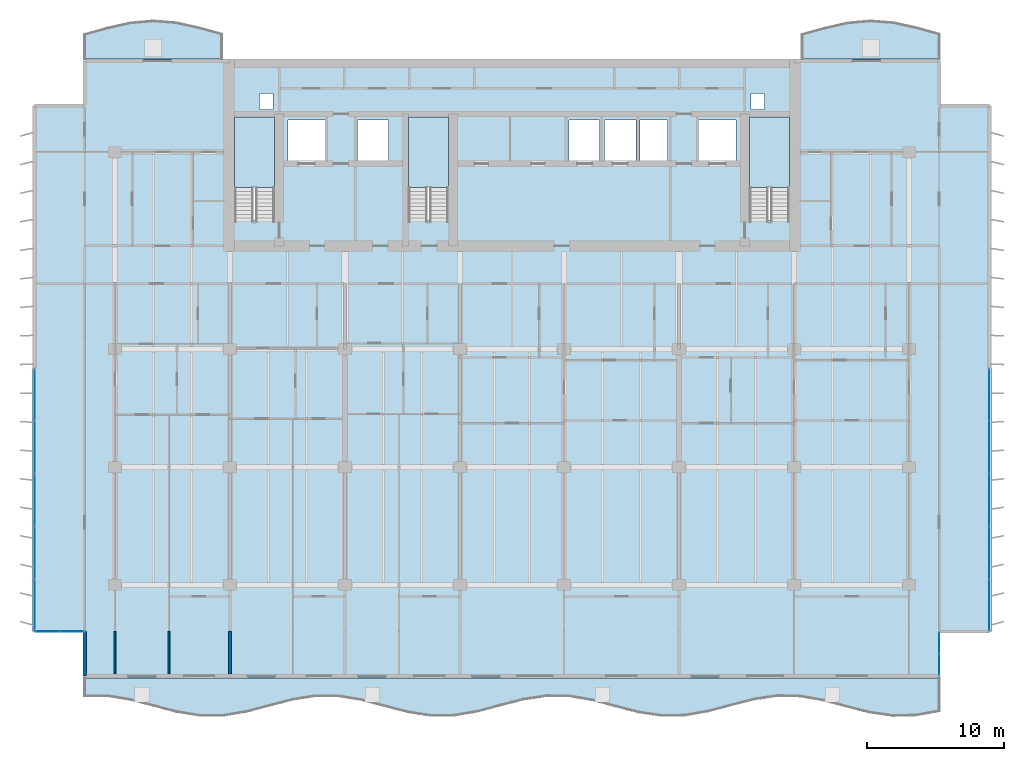
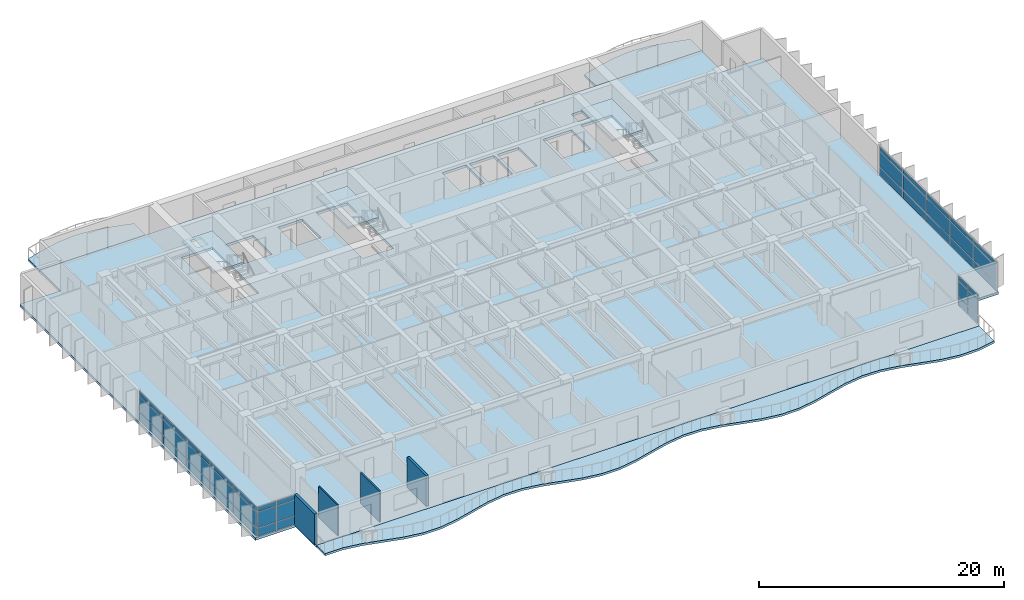
# One storey, part 5 of 16: 42 plates, 7 slabs, 4 walls, 7 elements without a shape of their own.
"""IFC4 building model written with IfcOpenShell, lengths in metres."""

from ifc_helpers import new_model, si_unit, direction, frame, frame_2d, origin, origin_2d, place, context, subcontext, project, spatial, polyline, rectangle, outline, extrude, material, layer, layer_set, type_object, element, aggregate, save


model = new_model("IFC4")

# Units and contexts
model_context = context("Model", 3, precision=1e-05, world=origin(), true_north=direction((0.0, 1.0)))
body_context = subcontext(model_context, "Body", "Model", "MODEL_VIEW")
ifc_project = project(units=[si_unit("LENGTHUNIT", "METRE"), si_unit("AREAUNIT", "SQUARE_METRE"), si_unit("VOLUMEUNIT", "CUBIC_METRE"), si_unit("PLANEANGLEUNIT", "RADIAN"), si_unit("MASSUNIT", "GRAM", prefix="KILO")], contexts=[model_context])

# Site, building, storey
site_placement = place(None, origin())
site = spatial("IfcSite", under=ifc_project, at=site_placement, CompositionType="ELEMENT")
building_placement = place(site_placement, origin())
building = spatial("IfcBuilding", under=site, at=building_placement, Name="Caelmar Bay Residences", CompositionType="ELEMENT")
storey_placement = place(building_placement, frame((0.0, 0.0, 145.5)))
storey = spatial("IfcBuildingStorey", under=building, at=storey_placement, Name="L40", CompositionType="ELEMENT", Elevation=145.5)

# Curtain wall, plates
ifc_material_1 = material(Name="Anodised bronze aluminium 6063-T6 and laminated glass", Category="aluminium")
ifc_layer_1 = layer(ifc_material_1, 0.179931640625)
ifc_layer_set_1 = layer_set([ifc_layer_1], Name="Anodised bronze aluminium 6063-T6 and laminated glass")
curtain_wall_type_1 = type_object("IfcCurtainWallType", Name="CW6-NTC", PredefinedType="NOTDEFINED", material=ifc_layer_set_1)
curtain_wall_1_placement = place(storey_placement, origin())
curtain_wall_1 = element("IfcCurtainWall", 1, at=curtain_wall_1_placement, inside=storey, type_object=curtain_wall_type_1, Name="CW6 curtain wall L40", PredefinedType="NOTDEFINED")
ifc_material_2 = material(Name="Bronze-tinted laminated low-E hurricane glass 28 mm", Category="glass")
ifc_layer_2 = layer(ifc_material_2, 0.028076171875)
ifc_layer_set_2 = layer_set([ifc_layer_2], Name="Bronze-tinted laminated low-E hurricane glass 28 mm")
plate_type = type_object("IfcPlateType", Name="CWP-GLZ28", PredefinedType="CURTAIN_PANEL", material=ifc_layer_set_2)
plate_1_placement = place(storey_placement, frame((4.982421875, 8.800048828125, 0.080078125), z_axis=(0.0, 0.0, 1.0), x_axis=(1.0, 0.0, 0.0)))
plate_1 = element("IfcPlate", 2, at=plate_1_placement, type_object=plate_type, Name="CW6 panel 1.1", PredefinedType="CURTAIN_PANEL", context=body_context, shape_type="SweptSolid", body=[
    extrude(rectangle(XDim=1.705078125, YDim=0.028076171875, at=origin_2d()), origin(), (0.0, 0.0, 1.0), 0.780029296875),
])
plate_2_placement = place(storey_placement, frame((4.982421875, 8.800048828125, 0.93994140625), z_axis=(0.0, 0.0, 1.0), x_axis=(1.0, 0.0, 0.0)))
plate_2 = element("IfcPlate", 3, at=plate_2_placement, type_object=plate_type, Name="CW6 panel 1.2", PredefinedType="CURTAIN_PANEL", context=body_context, shape_type="SweptSolid", body=[
    extrude(rectangle(XDim=1.705078125, YDim=0.028076171875, at=origin_2d()), origin(), (0.0, 0.0, 1.0), 1.52001953125),
])
plate_3_placement = place(storey_placement, frame((4.982421875, 8.800048828125, 2.5400390625), z_axis=(0.0, 0.0, 1.0), x_axis=(1.0, 0.0, 0.0)))
plate_3 = element("IfcPlate", 4, at=plate_3_placement, type_object=plate_type, Name="CW6 panel 1.3", PredefinedType="CURTAIN_PANEL", context=body_context, shape_type="SweptSolid", body=[
    extrude(rectangle(XDim=1.705078125, YDim=0.028076171875, at=origin_2d()), origin(), (0.0, 0.0, 1.0), 0.429931640625),
])
plate_4_placement = place(storey_placement, frame((6.767578125, 8.800048828125, 0.080078125), z_axis=(0.0, 0.0, 1.0), x_axis=(1.0, 0.0, 0.0)))
plate_4 = element("IfcPlate", 5, at=plate_4_placement, type_object=plate_type, Name="CW6 panel 2.1", PredefinedType="CURTAIN_PANEL", context=body_context, shape_type="SweptSolid", body=[
    extrude(rectangle(XDim=1.705078125, YDim=0.028076171875, at=origin_2d()), origin(), (0.0, 0.0, 1.0), 0.780029296875),
])
plate_5_placement = place(storey_placement, frame((6.767578125, 8.800048828125, 0.93994140625), z_axis=(0.0, 0.0, 1.0), x_axis=(1.0, 0.0, 0.0)))
plate_5 = element("IfcPlate", 6, at=plate_5_placement, type_object=plate_type, Name="CW6 panel 2.2", PredefinedType="CURTAIN_PANEL", context=body_context, shape_type="SweptSolid", body=[
    extrude(rectangle(XDim=1.705078125, YDim=0.028076171875, at=origin_2d()), origin(), (0.0, 0.0, 1.0), 1.52001953125),
])
plate_6_placement = place(storey_placement, frame((6.767578125, 8.800048828125, 2.5400390625), z_axis=(0.0, 0.0, 1.0), x_axis=(1.0, 0.0, 0.0)))
plate_6 = element("IfcPlate", 7, at=plate_6_placement, type_object=plate_type, Name="CW6 panel 2.3", PredefinedType="CURTAIN_PANEL", context=body_context, shape_type="SweptSolid", body=[
    extrude(rectangle(XDim=1.705078125, YDim=0.028076171875, at=origin_2d()), origin(), (0.0, 0.0, 1.0), 0.429931640625),
])
aggregate(curtain_wall_1, [plate_1, plate_2, plate_3, plate_4, plate_5, plate_6])

curtain_wall_2_placement = place(storey_placement, origin())
curtain_wall_2 = element("IfcCurtainWall", 8, at=curtain_wall_2_placement, inside=storey, type_object=curtain_wall_type_1, Name="CW6 curtain wall L40", PredefinedType="NOTDEFINED")
plate_7_placement = place(storey_placement, frame((70.10009765625, 6.382568359375, 0.080078125), z_axis=(0.0, 0.0, 1.0), x_axis=(0.0, 1.0, 0.0)))
plate_7 = element("IfcPlate", 9, at=plate_7_placement, type_object=plate_type, Name="CW6 panel 1.1", PredefinedType="CURTAIN_PANEL", context=body_context, shape_type="SweptSolid", body=[
    extrude(rectangle(XDim=1.5048828125, YDim=0.028076171875, at=origin_2d()), origin(), (0.0, 0.0, 1.0), 0.780029296875),
])
plate_8_placement = place(storey_placement, frame((70.10009765625, 6.382568359375, 0.93994140625), z_axis=(0.0, 0.0, 1.0), x_axis=(0.0, 1.0, 0.0)))
plate_8 = element("IfcPlate", 10, at=plate_8_placement, type_object=plate_type, Name="CW6 panel 1.2", PredefinedType="CURTAIN_PANEL", context=body_context, shape_type="SweptSolid", body=[
    extrude(rectangle(XDim=1.5048828125, YDim=0.028076171875, at=origin_2d()), origin(), (0.0, 0.0, 1.0), 1.52001953125),
])
plate_9_placement = place(storey_placement, frame((70.10009765625, 6.382568359375, 2.5400390625), z_axis=(0.0, 0.0, 1.0), x_axis=(0.0, 1.0, 0.0)))
plate_9 = element("IfcPlate", 11, at=plate_9_placement, type_object=plate_type, Name="CW6 panel 1.3", PredefinedType="CURTAIN_PANEL", context=body_context, shape_type="SweptSolid", body=[
    extrude(rectangle(XDim=1.5048828125, YDim=0.028076171875, at=origin_2d()), origin(), (0.0, 0.0, 1.0), 0.429931640625),
])
plate_10_placement = place(storey_placement, frame((70.10009765625, 7.967529296875, 0.080078125), z_axis=(0.0, 0.0, 1.0), x_axis=(0.0, 1.0, 0.0)))
plate_10 = element("IfcPlate", 12, at=plate_10_placement, type_object=plate_type, Name="CW6 panel 2.1", PredefinedType="CURTAIN_PANEL", context=body_context, shape_type="SweptSolid", body=[
    extrude(rectangle(XDim=1.5048828125, YDim=0.028076171875, at=origin_2d()), origin(), (0.0, 0.0, 1.0), 0.780029296875),
])
plate_11_placement = place(storey_placement, frame((70.10009765625, 7.967529296875, 0.93994140625), z_axis=(0.0, 0.0, 1.0), x_axis=(0.0, 1.0, 0.0)))
plate_11 = element("IfcPlate", 13, at=plate_11_placement, type_object=plate_type, Name="CW6 panel 2.2", PredefinedType="CURTAIN_PANEL", context=body_context, shape_type="SweptSolid", body=[
    extrude(rectangle(XDim=1.5048828125, YDim=0.028076171875, at=origin_2d()), origin(), (0.0, 0.0, 1.0), 1.52001953125),
])
plate_12_placement = place(storey_placement, frame((70.10009765625, 7.967529296875, 2.5400390625), z_axis=(0.0, 0.0, 1.0), x_axis=(0.0, 1.0, 0.0)))
plate_12 = element("IfcPlate", 14, at=plate_12_placement, type_object=plate_type, Name="CW6 panel 2.3", PredefinedType="CURTAIN_PANEL", context=body_context, shape_type="SweptSolid", body=[
    extrude(rectangle(XDim=1.5048828125, YDim=0.028076171875, at=origin_2d()), origin(), (0.0, 0.0, 1.0), 0.429931640625),
])
aggregate(curtain_wall_2, [plate_7, plate_8, plate_9, plate_10, plate_11, plate_12])

ifc_layer_3 = layer(ifc_material_1, 0.179931640625)
ifc_layer_set_3 = layer_set([ifc_layer_3], Name="Anodised bronze aluminium 6063-T6 and laminated glass")
curtain_wall_type_2 = type_object("IfcCurtainWallType", Name="CW3-Z2", PredefinedType="NOTDEFINED", material=ifc_layer_set_3)
curtain_wall_3_placement = place(storey_placement, origin())
curtain_wall_3 = element("IfcCurtainWall", 15, at=curtain_wall_3_placement, inside=storey, type_object=curtain_wall_type_2, Name="CW3 curtain wall L40", PredefinedType="NOTDEFINED")
plate_13_placement = place(storey_placement, frame((4.050048828125, 10.739990234375, 0.080078125), z_axis=(0.0, 0.0, 1.0), x_axis=(0.0, 1.0, 0.0)))
plate_13 = element("IfcPlate", 16, at=plate_13_placement, type_object=plate_type, Name="CW3 panel 1.1", PredefinedType="CURTAIN_PANEL", context=body_context, shape_type="SweptSolid", body=[
    extrude(rectangle(XDim=3.719970703125, YDim=0.028076171875, at=origin_2d()), origin(), (0.0, 0.0, 1.0), 0.780029296875),
])
plate_14_placement = place(storey_placement, frame((4.050048828125, 10.739990234375, 0.93994140625), z_axis=(0.0, 0.0, 1.0), x_axis=(0.0, 1.0, 0.0)))
plate_14 = element("IfcPlate", 17, at=plate_14_placement, type_object=plate_type, Name="CW3 panel 1.2", PredefinedType="CURTAIN_PANEL", context=body_context, shape_type="SweptSolid", body=[
    extrude(rectangle(XDim=3.719970703125, YDim=0.028076171875, at=origin_2d()), origin(), (0.0, 0.0, 1.0), 1.52001953125),
])
plate_15_placement = place(storey_placement, frame((4.050048828125, 10.739990234375, 2.5400390625), z_axis=(0.0, 0.0, 1.0), x_axis=(0.0, 1.0, 0.0)))
plate_15 = element("IfcPlate", 18, at=plate_15_placement, type_object=plate_type, Name="CW3 panel 1.3", PredefinedType="CURTAIN_PANEL", context=body_context, shape_type="SweptSolid", body=[
    extrude(rectangle(XDim=3.719970703125, YDim=0.028076171875, at=origin_2d()), origin(), (0.0, 0.0, 1.0), 0.429931640625),
])
plate_16_placement = place(storey_placement, frame((4.050048828125, 14.56005859375, 0.080078125), z_axis=(0.0, 0.0, 1.0), x_axis=(0.0, 1.0, 0.0)))
plate_16 = element("IfcPlate", 19, at=plate_16_placement, type_object=plate_type, Name="CW3 panel 2.1", PredefinedType="CURTAIN_PANEL", context=body_context, shape_type="SweptSolid", body=[
    extrude(rectangle(XDim=3.760009765625, YDim=0.028076171875, at=origin_2d()), origin(), (0.0, 0.0, 1.0), 0.780029296875),
])
plate_17_placement = place(storey_placement, frame((4.050048828125, 14.56005859375, 0.93994140625), z_axis=(0.0, 0.0, 1.0), x_axis=(0.0, 1.0, 0.0)))
plate_17 = element("IfcPlate", 20, at=plate_17_placement, type_object=plate_type, Name="CW3 panel 2.2", PredefinedType="CURTAIN_PANEL", context=body_context, shape_type="SweptSolid", body=[
    extrude(rectangle(XDim=3.760009765625, YDim=0.028076171875, at=origin_2d()), origin(), (0.0, 0.0, 1.0), 1.52001953125),
])
plate_18_placement = place(storey_placement, frame((4.050048828125, 14.56005859375, 2.5400390625), z_axis=(0.0, 0.0, 1.0), x_axis=(0.0, 1.0, 0.0)))
plate_18 = element("IfcPlate", 21, at=plate_18_placement, type_object=plate_type, Name="CW3 panel 2.3", PredefinedType="CURTAIN_PANEL", context=body_context, shape_type="SweptSolid", body=[
    extrude(rectangle(XDim=3.760009765625, YDim=0.028076171875, at=origin_2d()), origin(), (0.0, 0.0, 1.0), 0.429931640625),
])
plate_19_placement = place(storey_placement, frame((4.050048828125, 18.39990234375, 0.080078125), z_axis=(0.0, 0.0, 1.0), x_axis=(0.0, 1.0, 0.0)))
plate_19 = element("IfcPlate", 22, at=plate_19_placement, type_object=plate_type, Name="CW3 panel 3.1", PredefinedType="CURTAIN_PANEL", context=body_context, shape_type="SweptSolid", body=[
    extrude(rectangle(XDim=3.760009765625, YDim=0.028076171875, at=origin_2d()), origin(), (0.0, 0.0, 1.0), 0.780029296875),
])
plate_20_placement = place(storey_placement, frame((4.050048828125, 18.39990234375, 0.93994140625), z_axis=(0.0, 0.0, 1.0), x_axis=(0.0, 1.0, 0.0)))
plate_20 = element("IfcPlate", 23, at=plate_20_placement, type_object=plate_type, Name="CW3 panel 3.2", PredefinedType="CURTAIN_PANEL", context=body_context, shape_type="SweptSolid", body=[
    extrude(rectangle(XDim=3.760009765625, YDim=0.028076171875, at=origin_2d()), origin(), (0.0, 0.0, 1.0), 1.52001953125),
])
plate_21_placement = place(storey_placement, frame((4.050048828125, 18.39990234375, 2.5400390625), z_axis=(0.0, 0.0, 1.0), x_axis=(0.0, 1.0, 0.0)))
plate_21 = element("IfcPlate", 24, at=plate_21_placement, type_object=plate_type, Name="CW3 panel 3.3", PredefinedType="CURTAIN_PANEL", context=body_context, shape_type="SweptSolid", body=[
    extrude(rectangle(XDim=3.760009765625, YDim=0.028076171875, at=origin_2d()), origin(), (0.0, 0.0, 1.0), 0.429931640625),
])
plate_22_placement = place(storey_placement, frame((4.050048828125, 22.239990234375, 0.080078125), z_axis=(0.0, 0.0, 1.0), x_axis=(0.0, 1.0, 0.0)))
plate_22 = element("IfcPlate", 25, at=plate_22_placement, type_object=plate_type, Name="CW3 panel 4.1", PredefinedType="CURTAIN_PANEL", context=body_context, shape_type="SweptSolid", body=[
    extrude(rectangle(XDim=3.760009765625, YDim=0.028076171875, at=origin_2d()), origin(), (0.0, 0.0, 1.0), 0.780029296875),
])
plate_23_placement = place(storey_placement, frame((4.050048828125, 22.239990234375, 0.93994140625), z_axis=(0.0, 0.0, 1.0), x_axis=(0.0, 1.0, 0.0)))
plate_23 = element("IfcPlate", 26, at=plate_23_placement, type_object=plate_type, Name="CW3 panel 4.2", PredefinedType="CURTAIN_PANEL", context=body_context, shape_type="SweptSolid", body=[
    extrude(rectangle(XDim=3.760009765625, YDim=0.028076171875, at=origin_2d()), origin(), (0.0, 0.0, 1.0), 1.52001953125),
])
plate_24_placement = place(storey_placement, frame((4.050048828125, 22.239990234375, 2.5400390625), z_axis=(0.0, 0.0, 1.0), x_axis=(0.0, 1.0, 0.0)))
plate_24 = element("IfcPlate", 27, at=plate_24_placement, type_object=plate_type, Name="CW3 panel 4.3", PredefinedType="CURTAIN_PANEL", context=body_context, shape_type="SweptSolid", body=[
    extrude(rectangle(XDim=3.760009765625, YDim=0.028076171875, at=origin_2d()), origin(), (0.0, 0.0, 1.0), 0.429931640625),
])
plate_25_placement = place(storey_placement, frame((4.050048828125, 26.06005859375, 0.080078125), z_axis=(0.0, 0.0, 1.0), x_axis=(0.0, 1.0, 0.0)))
plate_25 = element("IfcPlate", 28, at=plate_25_placement, type_object=plate_type, Name="CW3 panel 5.1", PredefinedType="CURTAIN_PANEL", context=body_context, shape_type="SweptSolid", body=[
    extrude(rectangle(XDim=3.719970703125, YDim=0.028076171875, at=origin_2d()), origin(), (0.0, 0.0, 1.0), 0.780029296875),
])
plate_26_placement = place(storey_placement, frame((4.050048828125, 26.06005859375, 0.93994140625), z_axis=(0.0, 0.0, 1.0), x_axis=(0.0, 1.0, 0.0)))
plate_26 = element("IfcPlate", 29, at=plate_26_placement, type_object=plate_type, Name="CW3 panel 5.2", PredefinedType="CURTAIN_PANEL", context=body_context, shape_type="SweptSolid", body=[
    extrude(rectangle(XDim=3.719970703125, YDim=0.028076171875, at=origin_2d()), origin(), (0.0, 0.0, 1.0), 1.52001953125),
])
plate_27_placement = place(storey_placement, frame((4.050048828125, 26.06005859375, 2.5400390625), z_axis=(0.0, 0.0, 1.0), x_axis=(0.0, 1.0, 0.0)))
plate_27 = element("IfcPlate", 30, at=plate_27_placement, type_object=plate_type, Name="CW3 panel 5.3", PredefinedType="CURTAIN_PANEL", context=body_context, shape_type="SweptSolid", body=[
    extrude(rectangle(XDim=3.719970703125, YDim=0.028076171875, at=origin_2d()), origin(), (0.0, 0.0, 1.0), 0.429931640625),
])
aggregate(curtain_wall_3, [plate_13, plate_14, plate_15, plate_16, plate_17, plate_18, plate_19, plate_20, plate_21, plate_22, plate_23, plate_24, plate_25, plate_26, plate_27])

curtain_wall_4_placement = place(storey_placement, origin())
curtain_wall_4 = element("IfcCurtainWall", 31, at=curtain_wall_4_placement, inside=storey, type_object=curtain_wall_type_2, Name="CW3 curtain wall L40", PredefinedType="NOTDEFINED")
plate_28_placement = place(storey_placement, frame((73.75, 26.06005859375, 0.080078125), z_axis=(0.0, 0.0, 1.0), x_axis=(0.0, -1.0, 0.0)))
plate_28 = element("IfcPlate", 32, at=plate_28_placement, type_object=plate_type, Name="CW3 panel 1.1", PredefinedType="CURTAIN_PANEL", context=body_context, shape_type="SweptSolid", body=[
    extrude(rectangle(XDim=3.719970703125, YDim=0.028076171875, at=origin_2d()), origin(), (0.0, 0.0, 1.0), 0.780029296875),
])
plate_29_placement = place(storey_placement, frame((73.75, 26.06005859375, 0.93994140625), z_axis=(0.0, 0.0, 1.0), x_axis=(0.0, -1.0, 0.0)))
plate_29 = element("IfcPlate", 33, at=plate_29_placement, type_object=plate_type, Name="CW3 panel 1.2", PredefinedType="CURTAIN_PANEL", context=body_context, shape_type="SweptSolid", body=[
    extrude(rectangle(XDim=3.719970703125, YDim=0.028076171875, at=origin_2d()), origin(), (0.0, 0.0, 1.0), 1.52001953125),
])
plate_30_placement = place(storey_placement, frame((73.75, 26.06005859375, 2.5400390625), z_axis=(0.0, 0.0, 1.0), x_axis=(0.0, -1.0, 0.0)))
plate_30 = element("IfcPlate", 34, at=plate_30_placement, type_object=plate_type, Name="CW3 panel 1.3", PredefinedType="CURTAIN_PANEL", context=body_context, shape_type="SweptSolid", body=[
    extrude(rectangle(XDim=3.719970703125, YDim=0.028076171875, at=origin_2d()), origin(), (0.0, 0.0, 1.0), 0.429931640625),
])
plate_31_placement = place(storey_placement, frame((73.75, 22.239990234375, 0.080078125), z_axis=(0.0, 0.0, 1.0), x_axis=(0.0, -1.0, 0.0)))
plate_31 = element("IfcPlate", 35, at=plate_31_placement, type_object=plate_type, Name="CW3 panel 2.1", PredefinedType="CURTAIN_PANEL", context=body_context, shape_type="SweptSolid", body=[
    extrude(rectangle(XDim=3.760009765625, YDim=0.028076171875, at=origin_2d()), origin(), (0.0, 0.0, 1.0), 0.780029296875),
])
plate_32_placement = place(storey_placement, frame((73.75, 22.239990234375, 0.93994140625), z_axis=(0.0, 0.0, 1.0), x_axis=(0.0, -1.0, 0.0)))
plate_32 = element("IfcPlate", 36, at=plate_32_placement, type_object=plate_type, Name="CW3 panel 2.2", PredefinedType="CURTAIN_PANEL", context=body_context, shape_type="SweptSolid", body=[
    extrude(rectangle(XDim=3.760009765625, YDim=0.028076171875, at=origin_2d()), origin(), (0.0, 0.0, 1.0), 1.52001953125),
])
plate_33_placement = place(storey_placement, frame((73.75, 22.239990234375, 2.5400390625), z_axis=(0.0, 0.0, 1.0), x_axis=(0.0, -1.0, 0.0)))
plate_33 = element("IfcPlate", 37, at=plate_33_placement, type_object=plate_type, Name="CW3 panel 2.3", PredefinedType="CURTAIN_PANEL", context=body_context, shape_type="SweptSolid", body=[
    extrude(rectangle(XDim=3.760009765625, YDim=0.028076171875, at=origin_2d()), origin(), (0.0, 0.0, 1.0), 0.429931640625),
])
plate_34_placement = place(storey_placement, frame((73.75, 18.39990234375, 0.080078125), z_axis=(0.0, 0.0, 1.0), x_axis=(0.0, -1.0, 0.0)))
plate_34 = element("IfcPlate", 38, at=plate_34_placement, type_object=plate_type, Name="CW3 panel 3.1", PredefinedType="CURTAIN_PANEL", context=body_context, shape_type="SweptSolid", body=[
    extrude(rectangle(XDim=3.760009765625, YDim=0.028076171875, at=origin_2d()), origin(), (0.0, 0.0, 1.0), 0.780029296875),
])
plate_35_placement = place(storey_placement, frame((73.75, 18.39990234375, 0.93994140625), z_axis=(0.0, 0.0, 1.0), x_axis=(0.0, -1.0, 0.0)))
plate_35 = element("IfcPlate", 39, at=plate_35_placement, type_object=plate_type, Name="CW3 panel 3.2", PredefinedType="CURTAIN_PANEL", context=body_context, shape_type="SweptSolid", body=[
    extrude(rectangle(XDim=3.760009765625, YDim=0.028076171875, at=origin_2d()), origin(), (0.0, 0.0, 1.0), 1.52001953125),
])
plate_36_placement = place(storey_placement, frame((73.75, 18.39990234375, 2.5400390625), z_axis=(0.0, 0.0, 1.0), x_axis=(0.0, -1.0, 0.0)))
plate_36 = element("IfcPlate", 40, at=plate_36_placement, type_object=plate_type, Name="CW3 panel 3.3", PredefinedType="CURTAIN_PANEL", context=body_context, shape_type="SweptSolid", body=[
    extrude(rectangle(XDim=3.760009765625, YDim=0.028076171875, at=origin_2d()), origin(), (0.0, 0.0, 1.0), 0.429931640625),
])
plate_37_placement = place(storey_placement, frame((73.75, 14.56005859375, 0.080078125), z_axis=(0.0, 0.0, 1.0), x_axis=(0.0, -1.0, 0.0)))
plate_37 = element("IfcPlate", 41, at=plate_37_placement, type_object=plate_type, Name="CW3 panel 4.1", PredefinedType="CURTAIN_PANEL", context=body_context, shape_type="SweptSolid", body=[
    extrude(rectangle(XDim=3.760009765625, YDim=0.028076171875, at=origin_2d()), origin(), (0.0, 0.0, 1.0), 0.780029296875),
])
plate_38_placement = place(storey_placement, frame((73.75, 14.56005859375, 0.93994140625), z_axis=(0.0, 0.0, 1.0), x_axis=(0.0, -1.0, 0.0)))
plate_38 = element("IfcPlate", 42, at=plate_38_placement, type_object=plate_type, Name="CW3 panel 4.2", PredefinedType="CURTAIN_PANEL", context=body_context, shape_type="SweptSolid", body=[
    extrude(rectangle(XDim=3.760009765625, YDim=0.028076171875, at=origin_2d()), origin(), (0.0, 0.0, 1.0), 1.52001953125),
])
plate_39_placement = place(storey_placement, frame((73.75, 14.56005859375, 2.5400390625), z_axis=(0.0, 0.0, 1.0), x_axis=(0.0, -1.0, 0.0)))
plate_39 = element("IfcPlate", 43, at=plate_39_placement, type_object=plate_type, Name="CW3 panel 4.3", PredefinedType="CURTAIN_PANEL", context=body_context, shape_type="SweptSolid", body=[
    extrude(rectangle(XDim=3.760009765625, YDim=0.028076171875, at=origin_2d()), origin(), (0.0, 0.0, 1.0), 0.429931640625),
])
plate_40_placement = place(storey_placement, frame((73.75, 10.739990234375, 0.080078125), z_axis=(0.0, 0.0, 1.0), x_axis=(0.0, -1.0, 0.0)))
plate_40 = element("IfcPlate", 44, at=plate_40_placement, type_object=plate_type, Name="CW3 panel 5.1", PredefinedType="CURTAIN_PANEL", context=body_context, shape_type="SweptSolid", body=[
    extrude(rectangle(XDim=3.719970703125, YDim=0.028076171875, at=origin_2d()), origin(), (0.0, 0.0, 1.0), 0.780029296875),
])
plate_41_placement = place(storey_placement, frame((73.75, 10.739990234375, 0.93994140625), z_axis=(0.0, 0.0, 1.0), x_axis=(0.0, -1.0, 0.0)))
plate_41 = element("IfcPlate", 45, at=plate_41_placement, type_object=plate_type, Name="CW3 panel 5.2", PredefinedType="CURTAIN_PANEL", context=body_context, shape_type="SweptSolid", body=[
    extrude(rectangle(XDim=3.719970703125, YDim=0.028076171875, at=origin_2d()), origin(), (0.0, 0.0, 1.0), 1.52001953125),
])
plate_42_placement = place(storey_placement, frame((73.75, 10.739990234375, 2.5400390625), z_axis=(0.0, 0.0, 1.0), x_axis=(0.0, -1.0, 0.0)))
plate_42 = element("IfcPlate", 46, at=plate_42_placement, type_object=plate_type, Name="CW3 panel 5.3", PredefinedType="CURTAIN_PANEL", context=body_context, shape_type="SweptSolid", body=[
    extrude(rectangle(XDim=3.719970703125, YDim=0.028076171875, at=origin_2d()), origin(), (0.0, 0.0, 1.0), 0.429931640625),
])
aggregate(curtain_wall_4, [plate_28, plate_29, plate_30, plate_31, plate_32, plate_33, plate_34, plate_35, plate_36, plate_37, plate_38, plate_39, plate_40, plate_41, plate_42])

# Slabs
ifc_material_3 = material(Name="Concrete f'c 40 MPa (6,000 psi)", Category="concrete")
ifc_layer_4 = layer(ifc_material_3, 0.219970703125)
ifc_layer_set_4 = layer_set([ifc_layer_4], Name="Concrete f'c 40 MPa (6,000 psi)")
slab_type_1 = type_object("IfcSlabType", Name="SLB-BAL-220", PredefinedType="FLOOR", material=ifc_layer_set_4)
slab_1_placement = place(storey_placement, frame((0.0, 0.0, -0.219970703125)))
element("IfcSlab", 47, at=slab_1_placement, inside=storey, type_object=slab_type_1, Name="L40 Sinusoidal Tree-Balcony Slab south", PredefinedType="FLOOR", context=body_context, shape_type="SweptSolid", body=[
    extrude(outline(polyline([(7.699951171875, 4.01318359375), (9.386474609375, 4.0126953125), (11.072998046875, 3.73779296875), (12.759521484375, 3.29443359375), (14.44580078125, 2.853271484375), (16.13232421875, 2.583984375), (17.81884765625, 2.590087890625), (19.50537109375, 2.869384765625), (21.19189453125, 3.314697265625), (22.87841796875, 3.75390625), (24.56494140625, 4.018798828125), (26.25146484375, 4.0068359375), (27.937744140625, 3.722900390625), (29.624267578125, 3.2763671875), (31.310791015625, 2.8388671875), (32.997314453125, 2.57861328125), (34.683837890625, 2.59619140625), (36.370361328125, 2.884521484375), (38.056884765625, 3.332763671875), (39.7431640625, 3.768310546875), (41.4296875, 4.023681640625), (43.1162109375, 4.00048828125), (44.802734375, 3.707763671875), (46.4892578125, 3.25830078125), (48.17578125, 2.82470703125), (49.8623046875, 2.573974609375), (51.548583984375, 2.602783203125), (53.235107421875, 2.89990234375), (54.921630859375, 3.350830078125), (56.608154296875, 3.782470703125), (58.294677734375, 4.0283203125), (59.981201171875, 3.993896484375), (61.66748046875, 3.6923828125), (63.35400390625, 3.239990234375), (65.04052734375, 2.810791015625), (66.72705078125, 2.569580078125), (68.41357421875, 2.609619140625), (70.10009765625, 2.915283203125), (70.10009765625, 5.39990234375), (7.699951171875, 5.39990234375), (7.699951171875, 4.01318359375)])), origin(), (0.0, 0.0, 1.0), 0.219970703125),
])
slab_2_placement = place(storey_placement, frame((0.0, 0.0, -0.219970703125)))
element("IfcSlab", 48, at=slab_2_placement, inside=storey, type_object=slab_type_1, Name="L40 Sinusoidal Tree-Balcony Slab north_west", PredefinedType="FLOOR", context=body_context, shape_type="SweptSolid", body=[
    extrude(outline(polyline([(7.699951171875, 50.60009765625), (17.699951171875, 50.60009765625), (17.699951171875, 52.48974609375), (16.033203125, 52.949462890625), (14.36669921875, 53.3154296875), (12.699951171875, 53.449951171875), (11.033203125, 53.30224609375), (9.36669921875, 52.92822265625), (7.699951171875, 52.46826171875), (7.699951171875, 50.60009765625)])), origin(), (0.0, 0.0, 1.0), 0.219970703125),
])
slab_3_placement = place(storey_placement, frame((0.0, 0.0, -0.219970703125)))
element("IfcSlab", 49, at=slab_3_placement, inside=storey, type_object=slab_type_1, Name="L40 Sinusoidal Tree-Balcony Slab north_east", PredefinedType="FLOOR", context=body_context, shape_type="SweptSolid", body=[
    extrude(outline(polyline([(60.10009765625, 50.60009765625), (70.10009765625, 50.60009765625), (70.10009765625, 52.48974609375), (68.433349609375, 52.949462890625), (66.7666015625, 53.3154296875), (65.10009765625, 53.449951171875), (63.433349609375, 53.30224609375), (61.7666015625, 52.92822265625), (60.10009765625, 52.46826171875), (60.10009765625, 50.60009765625)])), origin(), (0.0, 0.0, 1.0), 0.219970703125),
])

# Stair, slab
stair_type = type_object("IfcStairType", Name="ST-TYP-165", PredefinedType="HALF_TURN_STAIR", material=ifc_material_3)
stair_1_placement = place(storey_placement, origin())
stair_1 = element("IfcStair", 50, at=stair_1_placement, inside=storey, type_object=stair_type, Name="L40 West Smokeproof Exit Stair ST1", PredefinedType="HALF_TURN_STAIR")
ifc_layer_5 = layer(ifc_material_3, 0.199951171875)
ifc_layer_set_5 = layer_set([ifc_layer_5], Name="Concrete f'c 40 MPa (6,000 psi)")
slab_type_2 = type_object("IfcSlabType", Name="SLB-LND-200", PredefinedType="LANDING", material=ifc_layer_set_5)
slab_4_placement = place(storey_placement, frame((0.0, 0.0, 1.449951171875)))
slab_4 = element("IfcSlab", 51, at=slab_4_placement, type_object=slab_type_2, Name="ST1 landing 1", PredefinedType="LANDING", context=body_context, shape_type="SweptSolid", body=[
    extrude(outline(polyline([(21.550048828125, 41.219970703125), (21.550048828125, 46.35009765625), (18.64990234375, 46.35009765625), (18.64990234375, 41.219970703125), (21.550048828125, 41.219970703125)])), origin(), (0.0, 0.0, 1.0), 0.199951171875),
])
aggregate(stair_1, [slab_4])

stair_2_placement = place(storey_placement, origin())
stair_2 = element("IfcStair", 52, at=stair_2_placement, inside=storey, type_object=stair_type, Name="L40 East Smokeproof Exit Stair ST2", PredefinedType="HALF_TURN_STAIR")
slab_5_placement = place(storey_placement, frame((0.0, 0.0, 1.449951171875)))
slab_5 = element("IfcSlab", 53, at=slab_5_placement, type_object=slab_type_2, Name="ST2 landing 1", PredefinedType="LANDING", context=body_context, shape_type="SweptSolid", body=[
    extrude(outline(polyline([(59.14990234375, 41.219970703125), (59.14990234375, 46.35009765625), (56.25, 46.35009765625), (56.25, 41.219970703125), (59.14990234375, 41.219970703125)])), origin(), (0.0, 0.0, 1.0), 0.199951171875),
])
aggregate(stair_2, [slab_5])

stair_3_placement = place(storey_placement, origin())
stair_3 = element("IfcStair", 54, at=stair_3_placement, inside=storey, type_object=stair_type, Name="L40 Central Smokeproof Exit Stair ST3", PredefinedType="HALF_TURN_STAIR")
slab_6_placement = place(storey_placement, frame((0.0, 0.0, 1.449951171875)))
slab_6 = element("IfcSlab", 55, at=slab_6_placement, type_object=slab_type_2, Name="ST3 landing 1", PredefinedType="LANDING", context=body_context, shape_type="SweptSolid", body=[
    extrude(outline(polyline([(34.25, 41.219970703125), (34.25, 46.35009765625), (31.35009765625, 46.35009765625), (31.35009765625, 41.219970703125), (34.25, 41.219970703125)])), origin(), (0.0, 0.0, 1.0), 0.199951171875),
])
aggregate(stair_3, [slab_6])

# Slab
ifc_layer_6 = layer(ifc_material_3, 0.25)
ifc_layer_set_6 = layer_set([ifc_layer_6], Name="Concrete f'c 40 MPa (6,000 psi)")
slab_type_3 = type_object("IfcSlabType", Name="SLB-RES-250", PredefinedType="FLOOR", material=ifc_layer_set_6)
slab_7_placement = place(storey_placement, frame((0.0, 0.0, -0.25)))
element("IfcSlab", 56, at=slab_7_placement, inside=storey, type_object=slab_type_3, Name="L40 Structural Floor Slab", PredefinedType="FLOOR", context=body_context, shape_type="SweptSolid", body=[
    extrude(outline(polyline([(7.699951171875, 5.39990234375), (70.10009765625, 5.39990234375), (70.10009765625, 8.800048828125), (73.89990234375, 8.800048828125), (73.89990234375, 47.199951171875), (70.10009765625, 47.199951171875), (70.10009765625, 50.60009765625), (7.699951171875, 50.60009765625), (7.699951171875, 47.199951171875), (3.89990234375, 47.199951171875), (3.89990234375, 8.800048828125), (7.699951171875, 8.800048828125), (7.699951171875, 5.39990234375)]), holes=[polyline([(18.64990234375, 38.85009765625), (21.550048828125, 38.85009765625), (21.550048828125, 46.35009765625), (18.64990234375, 46.35009765625), (18.64990234375, 38.85009765625)]), polyline([(56.25, 38.85009765625), (59.14990234375, 38.85009765625), (59.14990234375, 46.35009765625), (56.25, 46.35009765625), (56.25, 38.85009765625)]), polyline([(31.35009765625, 38.85009765625), (34.25, 38.85009765625), (34.25, 46.35009765625), (31.35009765625, 46.35009765625), (31.35009765625, 38.85009765625)]), polyline([(22.550048828125, 43.050048828125), (25.25, 43.050048828125), (25.25, 46.14990234375), (22.550048828125, 46.14990234375), (22.550048828125, 43.050048828125)]), polyline([(52.550048828125, 43.050048828125), (55.25, 43.050048828125), (55.25, 46.14990234375), (52.550048828125, 46.14990234375), (52.550048828125, 43.050048828125)]), polyline([(43.050048828125, 43.14990234375), (45.300048828125, 43.14990234375), (45.300048828125, 46.14990234375), (43.050048828125, 46.14990234375), (43.050048828125, 43.14990234375)]), polyline([(45.64990234375, 43.14990234375), (47.949951171875, 43.14990234375), (47.949951171875, 46.14990234375), (45.64990234375, 46.14990234375), (45.64990234375, 43.14990234375)]), polyline([(48.25, 43.14990234375), (50.25, 43.14990234375), (50.25, 46.14990234375), (48.25, 46.14990234375), (48.25, 43.14990234375)]), polyline([(27.60009765625, 43.14990234375), (29.89990234375, 43.14990234375), (29.89990234375, 46.14990234375), (27.60009765625, 46.14990234375), (27.60009765625, 43.14990234375)]), polyline([(20.449951171875, 46.89990234375), (21.449951171875, 46.89990234375), (21.449951171875, 48.10009765625), (20.449951171875, 48.10009765625), (20.449951171875, 46.89990234375)]), polyline([(56.35009765625, 46.89990234375), (57.35009765625, 46.89990234375), (57.35009765625, 48.10009765625), (56.35009765625, 48.10009765625), (56.35009765625, 46.89990234375)])]), origin(), (0.0, 0.0, 1.0), 0.25),
])

# Walls
ifc_material_4 = material(Name="Precast concrete f'c 40 MPa (6,000 psi)", Category="concrete")
ifc_layer_7 = layer(ifc_material_4, 0.25)
ifc_layer_set_7 = layer_set([ifc_layer_7], Name="Precast concrete f'c 40 MPa (6,000 psi)")
wall_type_1 = type_object("IfcWallType", Name="W-EXT-250", PredefinedType="ELEMENTEDWALL", material=ifc_layer_set_7)
wall_1_placement = place(storey_placement, frame((7.699951171875, 8.800048828125, 0.0), z_axis=(0.0, 0.0, 1.0), x_axis=(0.0, -1.0, 0.0)))
element("IfcWall", 57, at=wall_1_placement, inside=storey, type_object=wall_type_1, Name="L40 SW Notch Return Wall", PredefinedType="ELEMENTEDWALL", context=body_context, shape_type="SweptSolid", body=[
    extrude(rectangle(XDim=3.25, YDim=0.25, at=frame_2d((1.625, 0.0))), origin(), (0.0, 0.0, 1.0), 3.050048828125),
])
ifc_material_5 = material(Name="Acoustic metal-stud gypsum partition 120 mm")
ifc_layer_8 = layer(ifc_material_5, 0.1201171875)
ifc_layer_set_8 = layer_set([ifc_layer_8], Name="Acoustic metal-stud gypsum partition 120 mm")
wall_type_2 = type_object("IfcWallType", Name="W-PRT-120", PredefinedType="PARTITIONING", material=ifc_layer_set_8)
for number, where, z_axis, x_axis, name in (
    (58, (9.89990234375, 5.695068359375, 0.0), (0.0, 0.0, 1.0), (0.0, 1.0, 0.0), "L40 Partition Wall V007"),
    (59, (13.847900390625, 5.695068359375, 0.0), (0.0, 0.0, 1.0), (0.0, 1.0, 0.0), "L40 Partition Wall V012"),
):
    element("IfcWall", number, at=place(storey_placement, frame(where, z_axis=z_axis, x_axis=x_axis)), inside=storey, type_object=wall_type_2, Name=name, PredefinedType="PARTITIONING", context=body_context, shape_type="SweptSolid", body=[
        extrude(rectangle(XDim=3.10498046875, YDim=0.1201171875, at=frame_2d((1.552490234375, 0.0))), origin(), (0.0, 0.0, 1.0), 3.050048828125),
    ])
ifc_material_6 = material(Name="Acoustic twin-stud fire-rated inter-tenancy partition 200 mm")
ifc_layer_9 = layer(ifc_material_6, 0.199951171875)
ifc_layer_set_9 = layer_set([ifc_layer_9], Name="Acoustic twin-stud fire-rated inter-tenancy partition 200 mm")
wall_type_3 = type_object("IfcWallType", Name="W-PTY-200", PredefinedType="PARTITIONING", material=ifc_layer_set_9)
wall_2_placement = place(storey_placement, frame((18.300048828125, 5.695068359375, 0.0), z_axis=(0.0, 0.0, 1.0), x_axis=(0.0, 1.0, 0.0)))
element("IfcWall", 60, at=wall_2_placement, inside=storey, type_object=wall_type_3, Name="L40 Partition Wall V017", PredefinedType="PARTITIONING", context=body_context, shape_type="SweptSolid", body=[
    extrude(rectangle(XDim=3.10498046875, YDim=0.199951171875, at=frame_2d((1.552490234375, 0.0))), origin(), (0.0, 0.0, 1.0), 3.050048828125),
])

save(model, "model.ifc")
